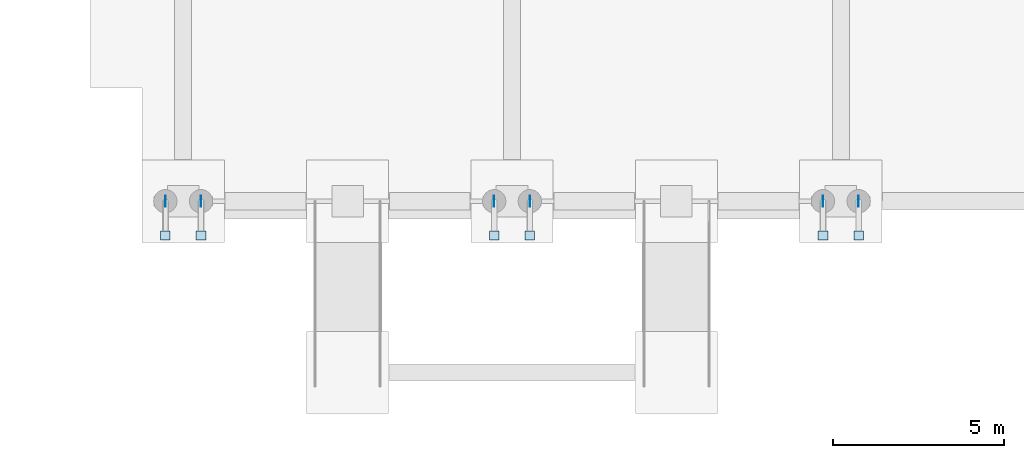
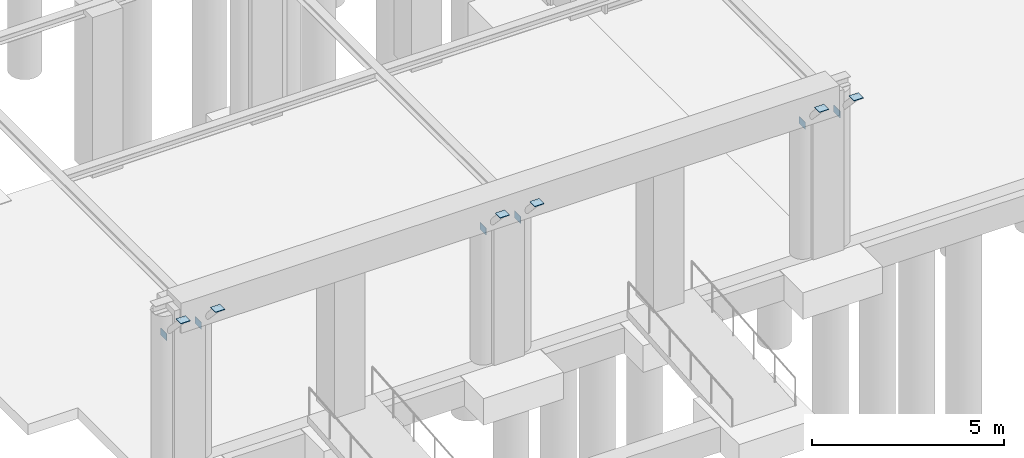
# One storey, part 28 of 51: 12 plates.
"""IFC4 building model written with IfcOpenShell, lengths in metres."""

from ifc_helpers import new_model, si_unit, direction, frame, origin, origin_2d, place, context, subcontext, project, spatial, rectangle, extrude, material, layer, layer_set, type_object, element, save


model = new_model("IFC4")

# Units and contexts
model_context = context("Model", 3, precision=1e-05, world=origin(), true_north=direction((0.0, 1.0)))
body_context = subcontext(model_context, "Body", "Model", "MODEL_VIEW")
ifc_project = project(units=[si_unit("LENGTHUNIT", "METRE"), si_unit("AREAUNIT", "SQUARE_METRE"), si_unit("VOLUMEUNIT", "CUBIC_METRE"), si_unit("PLANEANGLEUNIT", "RADIAN"), si_unit("MASSUNIT", "GRAM", prefix="KILO")], contexts=[model_context])

# Site, building, storey
site_placement = place(None, origin())
site = spatial("IfcSite", under=ifc_project, at=site_placement, CompositionType="ELEMENT")
building_placement = place(site_placement, origin())
building = spatial("IfcBuilding", under=site, at=building_placement, Name="Bempovik Park Faculty of Sciences", CompositionType="ELEMENT")
storey_placement = place(building_placement, origin())
storey = spatial("IfcBuildingStorey", under=building, at=storey_placement, Name="L00", CompositionType="ELEMENT", Elevation=0.0)

# Plates
ifc_material = material(Name="Steel S355", Category="steel")
ifc_layer_1 = layer(ifc_material, 0.02001953125)
ifc_layer_set_1 = layer_set([ifc_layer_1], Name="Steel S355")
plate_type_1 = type_object("IfcPlateType", Name="PL-15 Steel Plate 280x260x20", PredefinedType="USERDEFINED", material=ifc_layer_set_1)
for number, where, z_axis, x_axis, name in (
    (1, (40.280029296875, 6.195068359375, 5.157958984375), (0.0, 0.0, 1.0), (1.0, 0.0, 0.0), "Colonnade Strut Sealed End Plate 40.8-W"),
    (2, (41.320068359375, 6.195068359375, 5.157958984375), (0.0, 0.0, 1.0), (1.0, 0.0, 0.0), "Colonnade Strut Sealed End Plate 40.8-E"),
    (3, (49.8798828125, 6.195068359375, 5.157958984375), (0.0, 0.0, 1.0), (1.0, 0.0, 0.0), "Colonnade Strut Sealed End Plate 50.4-W"),
    (4, (50.919921875, 6.195068359375, 5.157958984375), (0.0, 0.0, 1.0), (1.0, 0.0, 0.0), "Colonnade Strut Sealed End Plate 50.4-E"),
    (5, (59.47998046875, 6.195068359375, 5.157958984375), (0.0, 0.0, 1.0), (1.0, 0.0, 0.0), "Colonnade Strut Sealed End Plate 60.0-W"),
    (6, (60.52001953125, 6.195068359375, 5.157958984375), (0.0, 0.0, 1.0), (1.0, 0.0, 0.0), "Colonnade Strut Sealed End Plate 60.0-E"),
):
    element("IfcPlate", number, at=place(storey_placement, frame(where, z_axis=z_axis, x_axis=x_axis)), inside=storey, type_object=plate_type_1, Name=name, ObjectType="STIFFENER PLATE", PredefinedType="USERDEFINED", context=body_context, shape_type="SweptSolid", body=[
        extrude(rectangle(XDim=0.280029296875, YDim=0.260009765625, at=origin_2d()), origin(), (0.0, 0.0, 1.0), 0.02001953125),
    ])
ifc_layer_2 = layer(ifc_material, 0.011962890625)
ifc_layer_set_2 = layer_set([ifc_layer_2], Name="Steel S355")
plate_type_2 = type_object("IfcPlateType", Name="PL-26 Steel Plate 320x220x12", PredefinedType="SHEET", material=ifc_layer_set_2)
for number, where, z_axis, x_axis, name in (
    (7, (40.280029296875, 7.199951171875, 3.990234375), (0.0, 0.0, 1.0), (1.0, 0.0, 0.0), "Brace/Strut End Gusset Plate STR-COL-408-W-E1"),
    (8, (41.320068359375, 7.199951171875, 3.990234375), (0.0, 0.0, 1.0), (1.0, 0.0, 0.0), "Brace/Strut End Gusset Plate STR-COL-408-E-E1"),
    (9, (49.8798828125, 7.199951171875, 3.990234375), (0.0, 0.0, 1.0), (1.0, 0.0, 0.0), "Brace/Strut End Gusset Plate STR-COL-504-W-E1"),
    (10, (50.919921875, 7.199951171875, 3.990234375), (0.0, 0.0, 1.0), (1.0, 0.0, 0.0), "Brace/Strut End Gusset Plate STR-COL-504-E-E1"),
    (11, (59.47998046875, 7.199951171875, 3.990234375), (0.0, 0.0, 1.0), (1.0, 0.0, 0.0), "Brace/Strut End Gusset Plate STR-COL-600-W-E1"),
    (12, (60.52001953125, 7.199951171875, 3.990234375), (0.0, 0.0, 1.0), (1.0, 0.0, 0.0), "Brace/Strut End Gusset Plate STR-COL-600-E-E1"),
):
    element("IfcPlate", number, at=place(storey_placement, frame(where, z_axis=z_axis, x_axis=x_axis)), inside=storey, type_object=plate_type_2, Name=name, PredefinedType="SHEET", context=body_context, shape_type="SweptSolid", body=[
        extrude(rectangle(XDim=0.011962890625, YDim=0.320068359375, at=origin_2d()), origin(), (0.0, 0.0, 1.0), 0.219970703125),
    ])

save(model, "model.ifc")
